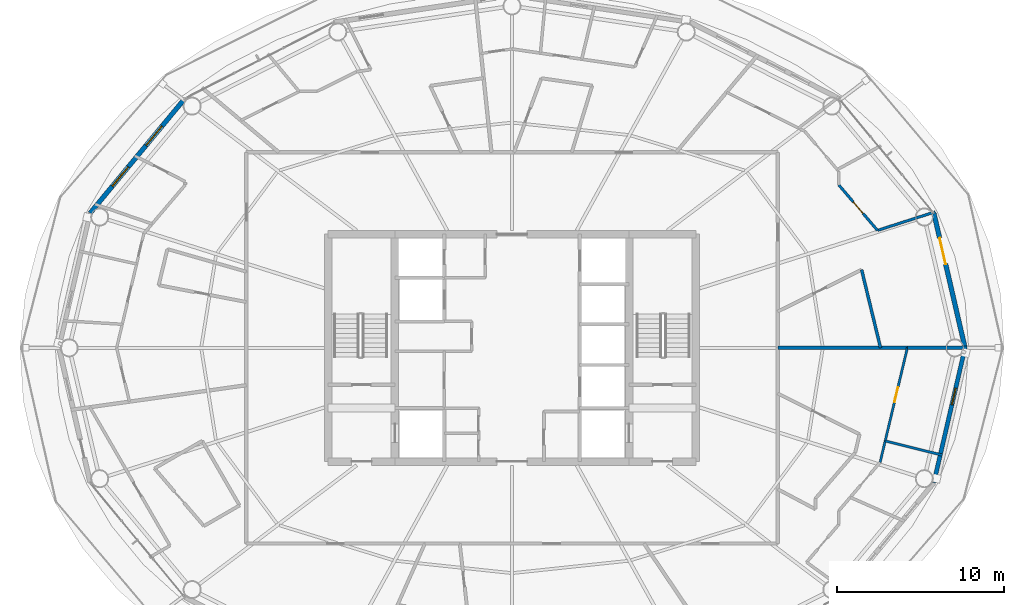
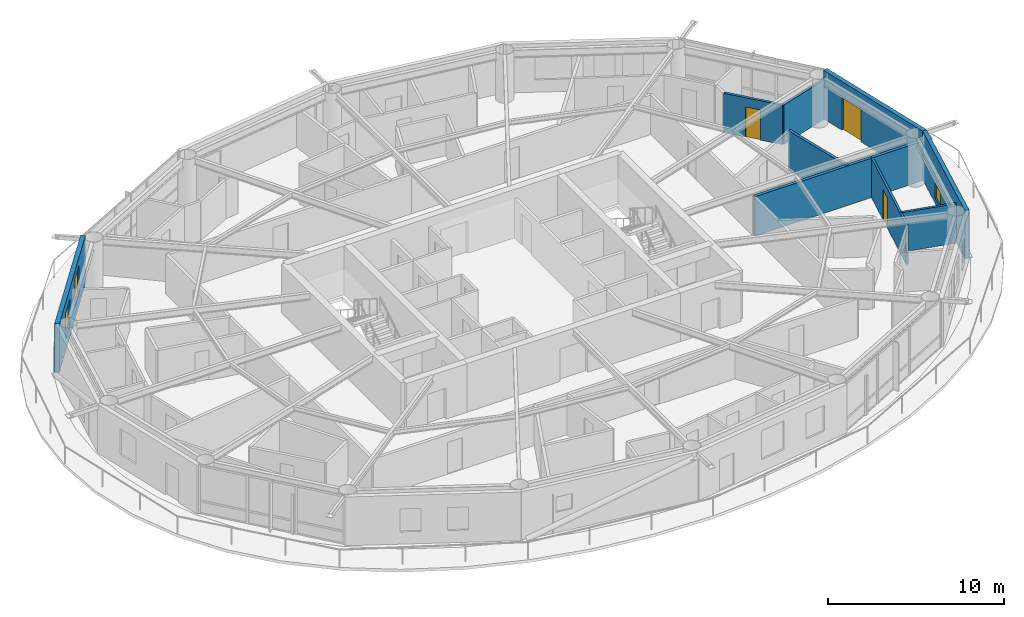
# One storey, part 24 of 29: 10 walls, 3 doors, 3 windows, 6 openings.
"""IFC4 building model written with IfcOpenShell, lengths in metres."""

from ifc_helpers import new_model, si_unit, direction, frame, frame_2d, origin, place, context, subcontext, project, spatial, rectangle, extrude, material, layer, layer_set, type_object, element, fill, save


model = new_model("IFC4")

# Units and contexts
model_context = context("Model", 3, precision=1e-05, world=origin(), true_north=direction((0.0, 1.0)))
body_context = subcontext(model_context, "Body", "Model", "MODEL_VIEW")
ifc_project = project(units=[si_unit("LENGTHUNIT", "METRE"), si_unit("AREAUNIT", "SQUARE_METRE"), si_unit("VOLUMEUNIT", "CUBIC_METRE"), si_unit("PLANEANGLEUNIT", "RADIAN"), si_unit("MASSUNIT", "GRAM", prefix="KILO")], contexts=[model_context])

# Site, building, storey
site_placement = place(None, origin())
site = spatial("IfcSite", under=ifc_project, at=site_placement, CompositionType="ELEMENT")
building_placement = place(site_placement, origin())
building = spatial("IfcBuilding", under=site, at=building_placement, Name="Sarneth Arch Tower", CompositionType="ELEMENT")
storey_placement = place(building_placement, frame((0.0, 0.0, 175.800048828125)))
storey = spatial("IfcBuildingStorey", under=building, at=storey_placement, Name="L44", CompositionType="ELEMENT", Elevation=175.800048828125)

# Wall, opening, window
ifc_material_1 = material(Name="Extruded terracotta rainscreen on Concrete C40/50 backing", Category="masonry")
ifc_layer_1 = layer(ifc_material_1, 0.25)
ifc_layer_set_1 = layer_set([ifc_layer_1], Name="Extruded terracotta rainscreen on Concrete C40/50 backing")
wall_type_1 = type_object("IfcWallType", Name="WALL-EXT-SPAND-250", PredefinedType="SOLIDWALL", material=ifc_layer_set_1)
wall_1_placement = place(storey_placement, frame((73.232421875, 33.93310546875, 0.0), z_axis=(0.0, 0.0, 1.0), x_axis=(0.225473184558, 0.974249374157, 0.0)))
wall_1 = element("IfcWall", 1, at=wall_1_placement, inside=storey, type_object=wall_type_1, Name="L44 Terracotta perimeter wall 16", PredefinedType="SOLIDWALL", context=body_context, shape_type="SweptSolid", body=[
    extrude(rectangle(XDim=8.280029296875, YDim=0.25, at=frame_2d((4.14013671875, 0.0))), origin(), (0.0, 0.0, 1.0), 3.3798828125),
])
opening_1_placement = place(wall_1_placement, frame((4.796630859375, 0.0, 0.35009765625)))
opening_1 = element("IfcOpeningElement", 2, at=opening_1_placement, cuts=wall_1, Name="Opening W-14", PredefinedType="OPENING", context=body_context, shape_type="SweptSolid", body=[
    extrude(rectangle(XDim=1.0, YDim=1.050048828125, at=frame_2d((0.5, 0.52490234375))), frame((0.0, 0.135009765625, 0.0), z_axis=(0.0, -1.0, 0.0), x_axis=(1.0, 0.0, 0.0)), (0.0, 0.0, 1.0), 0.27001953125),
])
ifc_material_2 = material(Name="Thermally broken Aluminium 6063-T6 and low-e laminated IGU", Category="aluminium")
window_type_1 = type_object("IfcWindowType", Name="WIN-TWR-1000x1050", PartitioningType="SINGLE_PANEL", PredefinedType="WINDOW", material=ifc_material_2)
window_1_placement = place(opening_1_placement, origin())
window_1 = element("IfcWindow", 3, at=window_1_placement, inside=storey, type_object=window_type_1, Name="L44 Dwelling bedroom window 05", OverallHeight=1.050048828125, OverallWidth=1.0, PartitioningType="SINGLE_PANEL", PredefinedType="WINDOW", context=body_context, shape_type="SweptSolid", body=[
    extrude(rectangle(XDim=1.0, YDim=1.050048828125, at=frame_2d((0.5, 0.52490234375))), frame((0.0, 0.030029296875, 0.0), z_axis=(0.0, -1.0, 0.0), x_axis=(1.0, 0.0, 0.0)), (0.0, 0.0, 1.0), 0.06005859375),
])
fill(opening_1, window_1)

# Wall, opening, door
ifc_material_3 = material(Name="Extruded terracotta rainscreen on Concrete C40/50 backing", Category="masonry")
ifc_layer_2 = layer(ifc_material_3, 0.280029296875)
ifc_layer_set_2 = layer_set([ifc_layer_2], Name="Extruded terracotta rainscreen on Concrete C40/50 backing")
wall_type_2 = type_object("IfcWallType", Name="WALL-EXT-TERRA-280", PredefinedType="SOLIDWALL", material=ifc_layer_set_2)
wall_2_placement = place(storey_placement, frame((75.099365234375, 42.0, 0.0), z_axis=(0.0, 0.0, 1.0), x_axis=(-0.225473184558, 0.974249374157, 0.0)))
wall_2 = element("IfcWall", 4, at=wall_2_placement, inside=storey, type_object=wall_type_2, Name="L44 Terracotta perimeter wall 01", PredefinedType="SOLIDWALL", context=body_context, shape_type="SweptSolid", body=[
    extrude(rectangle(XDim=8.280029296875, YDim=0.280029296875, at=frame_2d((4.14013671875, 0.0))), origin(), (0.0, 0.0, 1.0), 3.3798828125),
])
opening_2_placement = place(wall_2_placement, frame((5.143798828125, 0.0, 0.0)))
opening_2 = element("IfcOpeningElement", 5, at=opening_2_placement, cuts=wall_2, Name="Opening BD-1", PredefinedType="OPENING", context=body_context, shape_type="SweptSolid", body=[
    extrude(rectangle(XDim=1.60009765625, YDim=2.25, at=frame_2d((0.800048828125, 1.125))), frame((0.0, 0.14990234375, 0.0), z_axis=(0.0, -1.0, 0.0), x_axis=(1.0, 0.0, 0.0)), (0.0, 0.0, 1.0), 0.300048828125),
])
ifc_material_4 = material(Name="Thermally broken Aluminium 6063-T6 and laminated safety glass", Category="aluminium")
door_type_1 = type_object("IfcDoorType", Name="DR-BALC-GLZ-1600", OperationType="DOUBLE_DOOR_SINGLE_SWING", PredefinedType="DOOR", material=ifc_material_4)
door_1_placement = place(opening_2_placement, origin())
door_1 = element("IfcDoor", 6, at=door_1_placement, inside=storey, type_object=door_type_1, Name="L44 Balcony glazed door 01", OperationType="DOUBLE_DOOR_SINGLE_SWING", OverallHeight=2.25, OverallWidth=1.60009765625, PredefinedType="DOOR", context=body_context, shape_type="SweptSolid", body=[
    extrude(rectangle(XDim=1.60009765625, YDim=2.25, at=frame_2d((0.800048828125, 1.125))), frame((0.0, 0.02490234375, 0.0), z_axis=(0.0, -1.0, 0.0), x_axis=(1.0, 0.0, 0.0)), (0.0, 0.0, 1.0), 0.050048828125),
])
fill(opening_2, door_1)

# Wall, openings, windows
wall_3_placement = place(storey_placement, frame((28.423828125, 56.90576171875, 0.0), z_axis=(0.0, 0.0, 1.0), x_axis=(-0.637333477683, -0.770588111915, 0.0)))
wall_3 = element("IfcWall", 7, at=wall_3_placement, inside=storey, type_object=wall_type_2, Name="L44 Terracotta perimeter wall 07", PredefinedType="SOLIDWALL", context=body_context, shape_type="SweptSolid", body=[
    extrude(rectangle(XDim=8.874755859375, YDim=0.280029296875, at=frame_2d((4.4375, 0.0))), origin(), (0.0, 0.0, 1.0), 3.3798828125),
])
opening_3_placement = place(wall_3_placement, frame((2.12451171875, 0.0, 0.85009765625)))
opening_3 = element("IfcOpeningElement", 8, at=opening_3_placement, cuts=wall_3, Name="Opening W-06", PredefinedType="OPENING", context=body_context, shape_type="SweptSolid", body=[
    extrude(rectangle(XDim=1.5, YDim=2.0, at=frame_2d((0.75, 1.0))), frame((0.0, 0.14990234375, 0.0), z_axis=(0.0, -1.0, 0.0), x_axis=(1.0, 0.0, 0.0)), (0.0, 0.0, 1.0), 0.300048828125),
])
opening_4_placement = place(wall_3_placement, frame((5.292236328125, 0.0, 0.85009765625)))
opening_4 = element("IfcOpeningElement", 9, at=opening_4_placement, cuts=wall_3, Name="Opening W-07", PredefinedType="OPENING", context=body_context, shape_type="SweptSolid", body=[
    extrude(rectangle(XDim=1.5, YDim=1.800048828125, at=frame_2d((0.75, 0.89990234375))), frame((0.0, 0.14990234375, 0.0), z_axis=(0.0, -1.0, 0.0), x_axis=(1.0, 0.0, 0.0)), (0.0, 0.0, 1.0), 0.300048828125),
])
ifc_material_5 = material(Name="Thermally broken Aluminium 6063-T6 and low-e laminated IGU", Category="aluminium")
window_type_2 = type_object("IfcWindowType", Name="WIN-TWR-1500x1800", PartitioningType="SINGLE_PANEL", PredefinedType="WINDOW", material=ifc_material_5)
window_2_placement = place(opening_4_placement, origin())
window_2 = element("IfcWindow", 10, at=window_2_placement, inside=storey, type_object=window_type_2, Name="L44 Exterior window 07B", OverallHeight=1.800048828125, OverallWidth=1.5, PartitioningType="SINGLE_PANEL", PredefinedType="WINDOW", context=body_context, shape_type="SweptSolid", body=[
    extrude(rectangle(XDim=1.5, YDim=1.800048828125, at=frame_2d((0.75, 0.89990234375))), frame((0.0, 0.030029296875, 0.0), z_axis=(0.0, -1.0, 0.0), x_axis=(1.0, 0.0, 0.0)), (0.0, 0.0, 1.0), 0.06005859375),
])
fill(opening_4, window_2)
ifc_material_6 = material(Name="Thermally broken Aluminium 6063-T6 and low-e laminated IGU", Category="aluminium")
window_type_3 = type_object("IfcWindowType", Name="WIN-TWR-1500x2000", PartitioningType="SINGLE_PANEL", PredefinedType="WINDOW", material=ifc_material_6)
window_3_placement = place(opening_3_placement, origin())
window_3 = element("IfcWindow", 11, at=window_3_placement, inside=storey, type_object=window_type_3, Name="L44 Exterior window 07A", OverallHeight=2.0, OverallWidth=1.5, PartitioningType="SINGLE_PANEL", PredefinedType="WINDOW", context=body_context, shape_type="SweptSolid", body=[
    extrude(rectangle(XDim=1.5, YDim=2.0, at=frame_2d((0.75, 1.0))), frame((0.0, 0.030029296875, 0.0), z_axis=(0.0, -1.0, 0.0), x_axis=(1.0, 0.0, 0.0)), (0.0, 0.0, 1.0), 0.06005859375),
])
fill(opening_3, window_3)

# Wall, opening, door
ifc_material_7 = material(Name="Apartment internal stud partition", Category="gypsum")
ifc_layer_3 = layer(ifc_material_7, 0.139892578125)
ifc_layer_set_3 = layer_set([ifc_layer_3], Name="Apartment internal stud partition")
wall_type_3 = type_object("IfcWallType", Name="WALL-PART-140", PredefinedType="PARTITIONING", material=ifc_layer_set_3)
wall_4_placement = place(storey_placement, frame((71.648681640625, 42.0, 0.0), z_axis=(0.0, 0.0, 1.0), x_axis=(-0.231658068135, -0.972797275627, 0.0)))
wall_4 = element("IfcWall", 12, at=wall_4_placement, inside=storey, type_object=wall_type_3, Name="L44 Interior partition W-L44-TP-110", PredefinedType="PARTITIONING", context=body_context, shape_type="SweptSolid", body=[
    extrude(rectangle(XDim=7.03369140625, YDim=0.139892578125, at=frame_2d((3.516845703125, 0.0))), origin(), (0.0, 0.0, 1.0), 2.739990234375),
])
opening_5_placement = place(wall_4_placement, frame((2.4267578125, 0.0, 0.0)))
opening_5 = element("IfcOpeningElement", 13, at=opening_5_placement, cuts=wall_4, Name="Opening ID-01", PredefinedType="OPENING", context=body_context, shape_type="SweptSolid", body=[
    extrude(rectangle(XDim=0.89990234375, YDim=2.10009765625, at=frame_2d((0.449951171875, 1.050048828125))), frame((0.0, 0.079833984375, 0.0), z_axis=(0.0, -1.0, 0.0), x_axis=(1.0, 0.0, 0.0)), (0.0, 0.0, 1.0), 0.159912109375),
])
ifc_material_8 = material(Name="Engineered hardwood flush door", Category="wood")
door_type_2 = type_object("IfcDoorType", Name="DR-INT-900", OperationType="SINGLE_SWING_LEFT", PredefinedType="DOOR", material=ifc_material_8)
door_2_placement = place(opening_5_placement, origin())
door_2 = element("IfcDoor", 14, at=door_2_placement, inside=storey, type_object=door_type_2, Name="L44 Interior door DR-L44-U7-BED2", OperationType="SINGLE_SWING_RIGHT", OverallHeight=2.10009765625, OverallWidth=0.89990234375, PredefinedType="DOOR", context=body_context, shape_type="SweptSolid", body=[
    extrude(rectangle(XDim=0.89990234375, YDim=2.10009765625, at=frame_2d((0.449951171875, 1.050048828125))), frame((0.0, 0.02490234375, 0.0), z_axis=(0.0, -1.0, 0.0), x_axis=(1.0, 0.0, 0.0)), (0.0, 0.0, 1.0), 0.050048828125),
])
fill(opening_5, door_2)

# Walls
ifc_material_9 = material(Name="Acoustic gypsum stud partition", Category="gypsum")
ifc_layer_4 = layer(ifc_material_9, 0.14990234375)
ifc_layer_set_4 = layer_set([ifc_layer_4], Name="Acoustic gypsum stud partition")
wall_type_4 = type_object("IfcWallType", Name="WALL-PART-150", PredefinedType="PARTITIONING", material=ifc_layer_set_4)
wall_5_placement = place(storey_placement, frame((70.323486328125, 36.43408203125, 0.0), z_axis=(0.0, 0.0, 1.0), x_axis=(0.970301483456, -0.241898803642, 0.0)))
element("IfcWall", 15, at=wall_5_placement, inside=storey, type_object=wall_type_4, Name="L44 Interior partition W-L44-TP-112", PredefinedType="PARTITIONING", context=body_context, shape_type="SweptSolid", body=[
    extrude(rectangle(XDim=3.518310546875, YDim=0.14990234375, at=frame_2d((1.75927734375, 0.0))), origin(), (0.0, 0.0, 1.0), 2.739990234375),
])
ifc_material_10 = material(Name="Kitchen wet service chase wall", Category="gypsum")
ifc_layer_5 = layer(ifc_material_10, 0.159912109375)
ifc_layer_set_5 = layer_set([ifc_layer_5], Name="Kitchen wet service chase wall")
wall_type_5 = type_object("IfcWallType", Name="WALL-PLUMB-160", PredefinedType="PLUMBINGWALL", material=ifc_layer_set_5)
wall_6_placement = place(storey_placement, frame((73.318115234375, 50.13818359375, 0.0), z_axis=(0.0, 0.0, 1.0), x_axis=(-0.95200546613, -0.306081022703, 0.0)))
element("IfcWall", 16, at=wall_6_placement, inside=storey, type_object=wall_type_5, Name="L44 Interior partition W-L44-TP-021", PredefinedType="PLUMBINGWALL", context=body_context, shape_type="SweptSolid", body=[
    extrude(rectangle(XDim=3.630126953125, YDim=0.159912109375, at=frame_2d((1.81494140625, 0.0))), origin(), (0.0, 0.0, 1.0), 2.739990234375),
])

# Wall, opening, door
wall_7_placement = place(storey_placement, frame((69.8623046875, 49.027099609375, 0.0), z_axis=(0.0, 0.0, 1.0), x_axis=(-0.648065435441, 0.761584658057, 0.0)))
wall_7 = element("IfcWall", 17, at=wall_7_placement, inside=storey, type_object=wall_type_5, Name="L44 Interior partition W-L44-TP-022", PredefinedType="PLUMBINGWALL", context=body_context, shape_type="SweptSolid", body=[
    extrude(rectangle(XDim=3.56787109375, YDim=0.159912109375, at=frame_2d((1.783935546875, 0.0))), origin(), (0.0, 0.0, 1.0), 2.739990234375),
])
opening_6_placement = place(wall_7_placement, frame((1.333984375, 0.0, 0.0)))
opening_6 = element("IfcOpeningElement", 18, at=opening_6_placement, cuts=wall_7, Name="Opening ID-01", PredefinedType="OPENING", context=body_context, shape_type="SweptSolid", body=[
    extrude(rectangle(XDim=0.89990234375, YDim=2.10009765625, at=frame_2d((0.449951171875, 1.050048828125))), frame((0.0, 0.08984375, 0.0), z_axis=(0.0, -1.0, 0.0), x_axis=(1.0, 0.0, 0.0)), (0.0, 0.0, 1.0), 0.179931640625),
])
door_3_placement = place(opening_6_placement, origin())
door_3 = element("IfcDoor", 19, at=door_3_placement, inside=storey, type_object=door_type_2, Name="L44 Interior door DR-L44-U1-KIT", OperationType="SINGLE_SWING_LEFT", OverallHeight=2.10009765625, OverallWidth=0.89990234375, PredefinedType="DOOR", context=body_context, shape_type="SweptSolid", body=[
    extrude(rectangle(XDim=0.89990234375, YDim=2.10009765625, at=frame_2d((0.449951171875, 1.050048828125))), frame((0.0, 0.02490234375, 0.0), z_axis=(0.0, -1.0, 0.0), x_axis=(1.0, 0.0, 0.0)), (0.0, 0.0, 1.0), 0.050048828125),
])
fill(opening_6, door_3)

# Walls
ifc_material_11 = material(Name="Moisture-resistant plumbing chase wall", Category="gypsum")
ifc_layer_6 = layer(ifc_material_11, 0.179931640625)
ifc_layer_set_6 = layer_set([ifc_layer_6], Name="Moisture-resistant plumbing chase wall")
wall_type_6 = type_object("IfcWallType", Name="WALL-PLUMB-180", PredefinedType="PLUMBINGWALL", material=ifc_layer_set_6)
wall_8_placement = place(storey_placement, frame((68.912353515625, 46.6748046875, 0.0), z_axis=(0.0, 0.0, 1.0), x_axis=(0.235459111302, -0.97188425592, 0.0)))
element("IfcWall", 20, at=wall_8_placement, inside=storey, type_object=wall_type_6, Name="L44 Interior partition W-L44-TP-026", PredefinedType="PLUMBINGWALL", context=body_context, shape_type="SweptSolid", body=[
    extrude(rectangle(XDim=4.81005859375, YDim=0.179931640625, at=frame_2d((2.405029296875, 0.0))), origin(), (0.0, 0.0, 1.0), 2.739990234375),
])
ifc_material_12 = material(Name="Double steel-stud acoustic drywall", Category="steel")
ifc_layer_7 = layer(ifc_material_12, 0.199951171875)
ifc_layer_set_7 = layer_set([ifc_layer_7], Name="Double steel-stud acoustic drywall")
wall_type_7 = type_object("IfcWallType", Name="WALL-UNIT-200", PredefinedType="PARTITIONING", material=ifc_layer_set_7)
wall_9_placement = place(storey_placement, frame((63.89990234375, 42.0, 0.0), z_axis=(0.0, 0.0, 1.0), x_axis=(1.0, 0.0, 0.0)))
element("IfcWall", 21, at=wall_9_placement, inside=storey, type_object=wall_type_7, Name="L44 Interior partition W-L44-TP-034", PredefinedType="PARTITIONING", context=body_context, shape_type="SweptSolid", body=[
    extrude(rectangle(XDim=7.748779296875, YDim=0.199951171875, at=frame_2d((3.87451171875, 0.0))), origin(), (0.0, 0.0, 1.0), 2.739990234375),
])
wall_10_placement = place(storey_placement, frame((71.648681640625, 42.0, 0.0), z_axis=(0.0, 0.0, 1.0), x_axis=(1.0, 0.0, 0.0)))
element("IfcWall", 22, at=wall_10_placement, inside=storey, type_object=wall_type_7, Name="L44 Interior partition W-L44-TP-032", PredefinedType="PARTITIONING", context=body_context, shape_type="SweptSolid", body=[
    extrude(rectangle(XDim=3.57080078125, YDim=0.199951171875, at=frame_2d((1.785400390625, 0.0))), origin(), (0.0, 0.0, 1.0), 2.739990234375),
])

save(model, "model.ifc")
